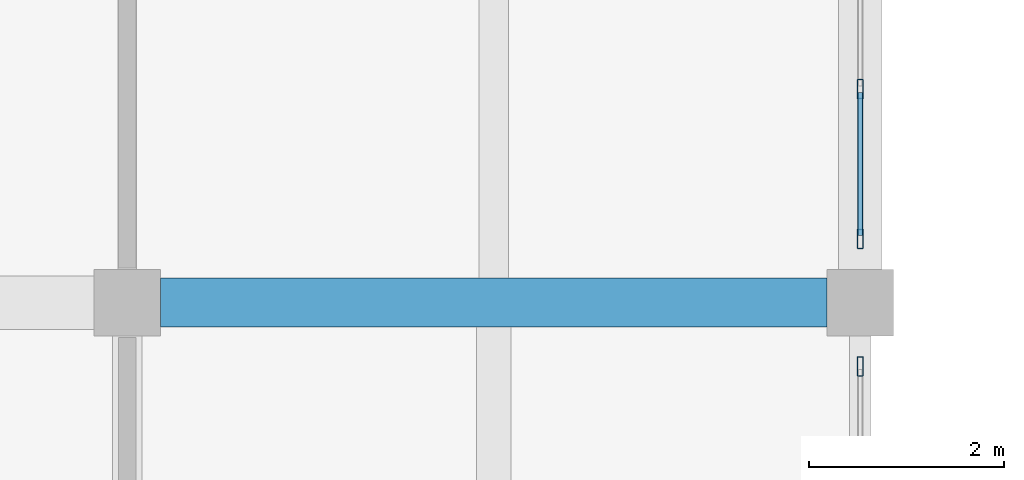
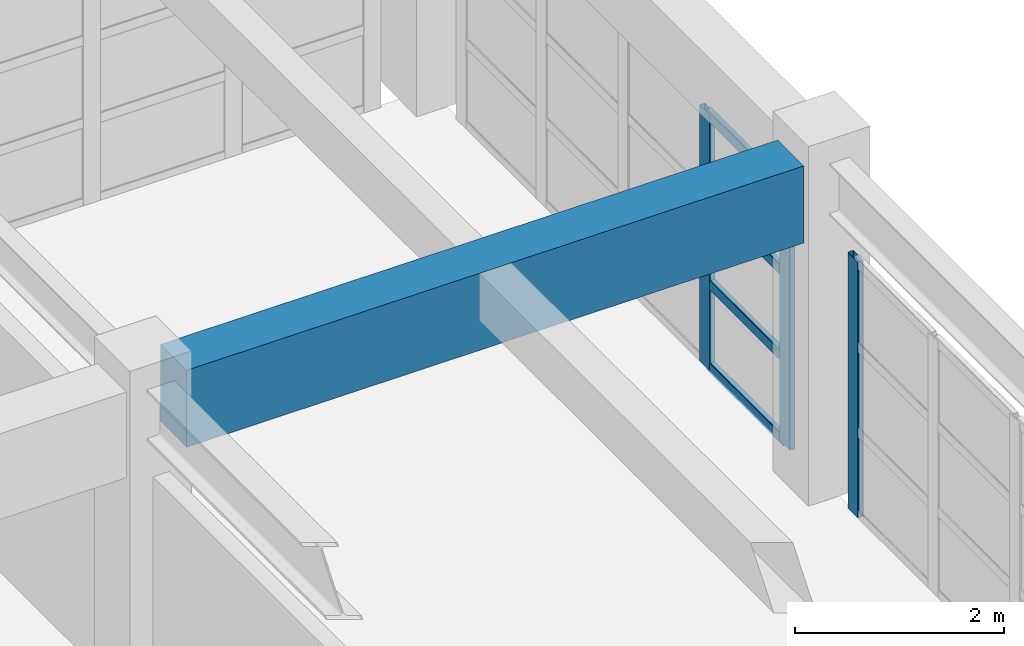
# One storey, part 24 of 132: 7 members, 1 beam, 2 elements without a shape of their own.
"""IFC4 building model written with IfcOpenShell, lengths in metres."""

from ifc_helpers import new_model, si_unit, direction, frame, origin, origin_2d, place, context, subcontext, project, spatial, rectangle, hollow_rectangle, extrude, material, material_profile, profile_set, type_object, element, aggregate, save


model = new_model("IFC4")

# Units and contexts
model_context = context("Model", 3, precision=1e-05, world=origin(), true_north=direction((0.0, 1.0)))
body_context = subcontext(model_context, "Body", "Model", "MODEL_VIEW")
ifc_project = project(units=[si_unit("LENGTHUNIT", "METRE"), si_unit("AREAUNIT", "SQUARE_METRE"), si_unit("VOLUMEUNIT", "CUBIC_METRE"), si_unit("PLANEANGLEUNIT", "RADIAN"), si_unit("MASSUNIT", "GRAM", prefix="KILO")], contexts=[model_context])

# Site, building, storey
site_placement = place(None, origin())
site = spatial("IfcSite", under=ifc_project, at=site_placement, CompositionType="ELEMENT")
building_placement = place(site_placement, origin())
building = spatial("IfcBuilding", under=site, at=building_placement, Name="Qasida Concert Hall", CompositionType="ELEMENT")
storey_placement = place(building_placement, frame((0.0, 0.0, 4.800048828125)))
storey = spatial("IfcBuildingStorey", under=building, at=storey_placement, Name="L01", CompositionType="ELEMENT", Elevation=4.800048828125)

# Beam
ifc_material_1 = material(Name="Concrete C40/50", Category="concrete")
ifc_material_profile_1 = material_profile(ifc_material_1, rectangle(XDim=0.5, YDim=0.89990234375, at=origin_2d()), Name="RC 500x900")
ifc_profile_set_1 = profile_set([ifc_material_profile_1], Name="Concrete C40/50")
beam_type = type_object("IfcBeamType", Name="BM-G1", PredefinedType="USERDEFINED", material=ifc_profile_set_1)
beam_placement = place(storey_placement, frame((30.340087890625, 45.0, 3.469970703125), z_axis=(1.0, 0.0, 0.0), x_axis=(0.0, 1.0, 0.0)))
element("IfcBeam", 1, at=beam_placement, inside=storey, type_object=beam_type, Name="Primary girder 0916", ObjectType="GIRDER", PredefinedType="USERDEFINED", context=body_context, shape_type="SweptSolid", body=[
    extrude(rectangle(XDim=0.5, YDim=0.89990234375, at=origin_2d()), origin(), (0.0, 0.0, 1.0), 6.81982421875),
])

# Curtain wall, member
ifc_material_2 = material(Name="Architectural bronze-anodized aluminium and low-E glass", Category="aluminium")
curtain_wall_type = type_object("IfcCurtainWallType", Name="CW-07", PredefinedType="NOTDEFINED", material=ifc_material_2)
curtain_wall_1_placement = place(storey_placement, origin())
curtain_wall_1 = element("IfcCurtainWall", 2, at=curtain_wall_1_placement, inside=storey, type_object=curtain_wall_type, Name="L01 curtain wall CW-07 0097", PredefinedType="NOTDEFINED")
ifc_material_3 = material(Name="Architectural bronze-anodized aluminium EN AW-6063", Category="aluminium")
ifc_material_profile_2 = material_profile(ifc_material_3, hollow_rectangle(XDim=0.06494140625, YDim=0.199951171875, WallThickness=0.0048828125, InnerFilletRadius=0.0048828125, OuterFilletRadius=0.010009765625, at=origin_2d()), Name="CWM 200x65x5")
ifc_profile_set_2 = profile_set([ifc_material_profile_2], Name="Architectural bronze-anodized aluminium EN AW-6063")
member_type_1 = type_object("IfcMemberType", Name="MB-CWM-2", PredefinedType="MULLION", material=ifc_profile_set_2)
member_1_placement = place(storey_placement, frame((37.5, 44.347412109375, 0.0), z_axis=(0.0, 0.0, 1.0), x_axis=(-1.0, 0.0, 0.0)))
member_1 = element("IfcMember", 3, at=member_1_placement, type_object=member_type_1, Name="CW-07 mullion 5", PredefinedType="MULLION", context=body_context, shape_type="SweptSolid", body=[
    extrude(hollow_rectangle(XDim=0.06494140625, YDim=0.199951171875, WallThickness=0.0048828125, InnerFilletRadius=0.0048828125, OuterFilletRadius=0.010009765625, at=origin_2d()), origin(), (0.0, 0.0, 1.0), 2.989990234375),
])
aggregate(curtain_wall_1, [member_1])

# Curtain wall, members
curtain_wall_2_placement = place(storey_placement, origin())
curtain_wall_2 = element("IfcCurtainWall", 4, at=curtain_wall_2_placement, inside=storey, type_object=curtain_wall_type, Name="L01 curtain wall CW-07 0098", PredefinedType="NOTDEFINED")
member_2_placement = place(storey_placement, frame((37.5, 45.652587890625, 0.0), z_axis=(0.0, 0.0, 1.0), x_axis=(-1.0, 0.0, 0.0)))
member_2 = element("IfcMember", 5, at=member_2_placement, type_object=member_type_1, Name="CW-07 mullion 1", PredefinedType="MULLION", context=body_context, shape_type="SweptSolid", body=[
    extrude(hollow_rectangle(XDim=0.06494140625, YDim=0.199951171875, WallThickness=0.0048828125, InnerFilletRadius=0.0048828125, OuterFilletRadius=0.010009765625, at=origin_2d()), origin(), (0.0, 0.0, 1.0), 2.989990234375),
])
member_3_placement = place(storey_placement, frame((37.5, 47.18505859375, 0.0), z_axis=(0.0, 0.0, 1.0), x_axis=(-1.0, 0.0, 0.0)))
member_3 = element("IfcMember", 6, at=member_3_placement, type_object=member_type_1, Name="CW-07 mullion 2", PredefinedType="MULLION", context=body_context, shape_type="SweptSolid", body=[
    extrude(hollow_rectangle(XDim=0.06494140625, YDim=0.199951171875, WallThickness=0.0048828125, InnerFilletRadius=0.0048828125, OuterFilletRadius=0.010009765625, at=origin_2d()), origin(), (0.0, 0.0, 1.0), 2.989990234375),
])
ifc_material_profile_3 = material_profile(ifc_material_3, hollow_rectangle(XDim=0.06005859375, YDim=0.1201171875, WallThickness=0.00390625, InnerFilletRadius=0.00390625, OuterFilletRadius=0.008056640625, at=origin_2d()), Name="CWT 120x60x4")
ifc_profile_set_3 = profile_set([ifc_material_profile_3], Name="Architectural bronze-anodized aluminium EN AW-6063")
member_type_2 = type_object("IfcMemberType", Name="MB-CWT-2", PredefinedType="USERDEFINED", material=ifc_profile_set_3)
member_4_placement = place(storey_placement, frame((37.5, 45.68505859375, 0.030029296875), z_axis=(0.0, 1.0, 0.0), x_axis=(-1.0, 0.0, 0.0)))
member_4 = element("IfcMember", 7, at=member_4_placement, type_object=member_type_2, Name="CW-07 transom 1.1", ObjectType="TRANSOM", PredefinedType="USERDEFINED", context=body_context, shape_type="SweptSolid", body=[
    extrude(hollow_rectangle(XDim=0.06005859375, YDim=0.1201171875, WallThickness=0.00390625, InnerFilletRadius=0.00390625, OuterFilletRadius=0.008056640625, at=origin_2d()), origin(), (0.0, 0.0, 1.0), 1.467529296875),
])
member_5_placement = place(storey_placement, frame((37.5, 45.68505859375, 0.99658203125), z_axis=(0.0, 1.0, 0.0), x_axis=(-1.0, 0.0, 0.0)))
member_5 = element("IfcMember", 8, at=member_5_placement, type_object=member_type_2, Name="CW-07 transom 1.2", ObjectType="TRANSOM", PredefinedType="USERDEFINED", context=body_context, shape_type="SweptSolid", body=[
    extrude(hollow_rectangle(XDim=0.06005859375, YDim=0.1201171875, WallThickness=0.00390625, InnerFilletRadius=0.00390625, OuterFilletRadius=0.008056640625, at=origin_2d()), origin(), (0.0, 0.0, 1.0), 1.467529296875),
])
member_6_placement = place(storey_placement, frame((37.5, 45.68505859375, 1.9931640625), z_axis=(0.0, 1.0, 0.0), x_axis=(-1.0, 0.0, 0.0)))
member_6 = element("IfcMember", 9, at=member_6_placement, type_object=member_type_2, Name="CW-07 transom 1.3", ObjectType="TRANSOM", PredefinedType="USERDEFINED", context=body_context, shape_type="SweptSolid", body=[
    extrude(hollow_rectangle(XDim=0.06005859375, YDim=0.1201171875, WallThickness=0.00390625, InnerFilletRadius=0.00390625, OuterFilletRadius=0.008056640625, at=origin_2d()), origin(), (0.0, 0.0, 1.0), 1.467529296875),
])
member_7_placement = place(storey_placement, frame((37.5, 45.68505859375, 2.9599609375), z_axis=(0.0, 1.0, 0.0), x_axis=(-1.0, 0.0, 0.0)))
member_7 = element("IfcMember", 10, at=member_7_placement, type_object=member_type_2, Name="CW-07 transom 1.4", ObjectType="TRANSOM", PredefinedType="USERDEFINED", context=body_context, shape_type="SweptSolid", body=[
    extrude(hollow_rectangle(XDim=0.06005859375, YDim=0.1201171875, WallThickness=0.00390625, InnerFilletRadius=0.00390625, OuterFilletRadius=0.008056640625, at=origin_2d()), origin(), (0.0, 0.0, 1.0), 1.467529296875),
])
aggregate(curtain_wall_2, [member_2, member_3, member_4, member_5, member_6, member_7])

save(model, "model.ifc")
